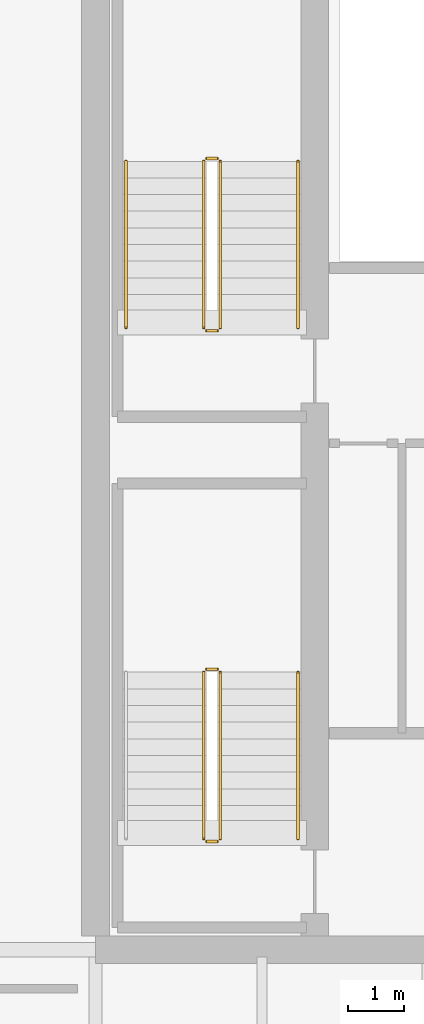
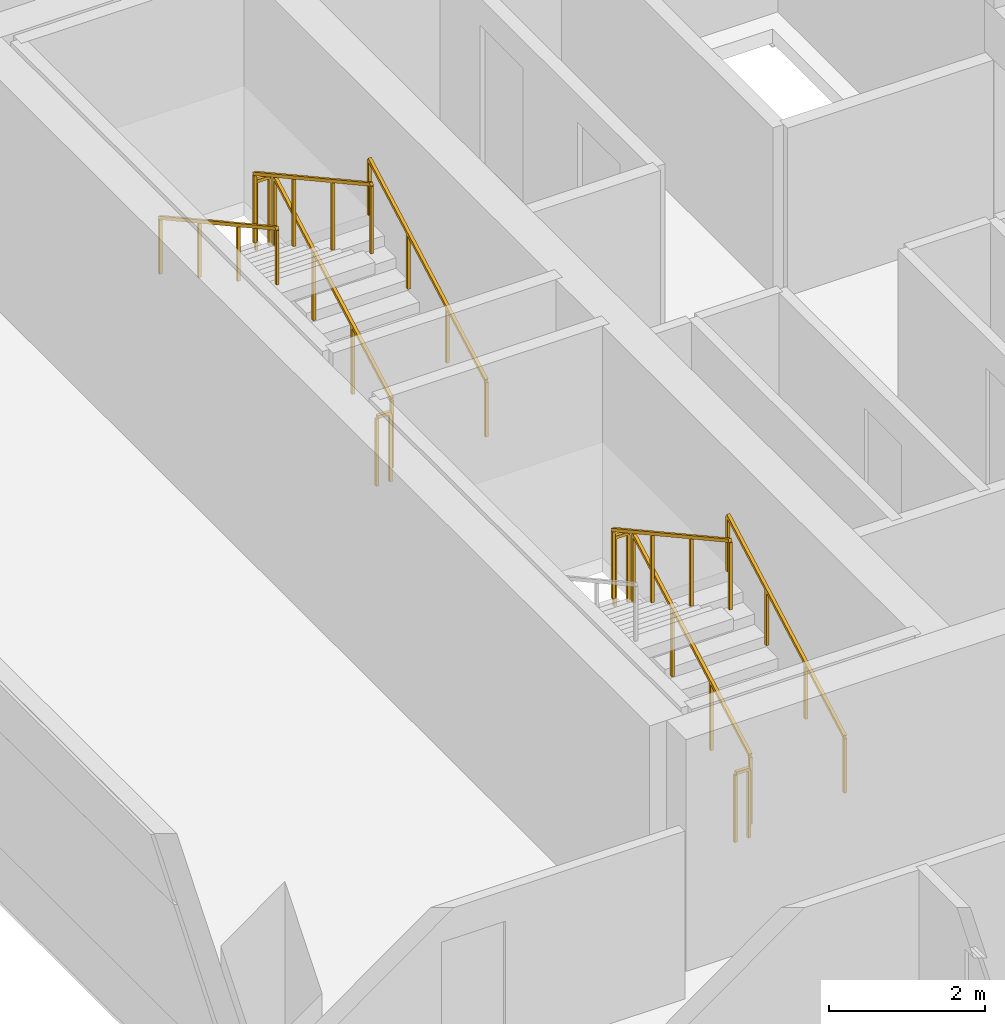
# One storey, part 35 of 39: 11 railings.
"""IFC4 building model written with IfcOpenShell, lengths in metres."""

from ifc_helpers import new_model, si_unit, direction, frame, origin, place, context, subcontext, project, spatial, rectangle, extrude, material, type_object, element, save


model = new_model("IFC4")

# Units and contexts
model_context = context("Model", 3, precision=1e-05, world=origin(), true_north=direction((0.0, 1.0)))
body_context = subcontext(model_context, "Body", "Model", "MODEL_VIEW")
ifc_project = project(units=[si_unit("LENGTHUNIT", "METRE"), si_unit("AREAUNIT", "SQUARE_METRE"), si_unit("VOLUMEUNIT", "CUBIC_METRE"), si_unit("PLANEANGLEUNIT", "RADIAN"), si_unit("MASSUNIT", "GRAM", prefix="KILO")], contexts=[model_context])

# Site, building, storey
site_placement = place(None, origin())
site = spatial("IfcSite", under=ifc_project, at=site_placement, CompositionType="ELEMENT")
building_placement = place(site_placement, origin())
building = spatial("IfcBuilding", under=site, at=building_placement, Name="Tanjung Sevakor Pilgrim Tower", CompositionType="ELEMENT")
storey_placement = place(building_placement, frame((0.0, 0.0, 108.570068359375)))
storey = spatial("IfcBuildingStorey", under=building, at=storey_placement, Name="L30", CompositionType="ELEMENT", Elevation=108.570068359375)

# Railings
ifc_material_1 = material(Name="Steel S355J2", Category="steel")
railing_type_1 = type_object("IfcRailingType", Name="RL-STAIR-GUARD", PredefinedType="GUARDRAIL", material=ifc_material_1)
railing_1_placement = place(storey_placement, frame((26.25, 26.60009765625, 0.1650390625)))
element("IfcRailing", 1, at=railing_1_placement, inside=storey, type_object=railing_type_1, Name="L30 TS-W1 stair guard 1", PredefinedType="GUARDRAIL", context=body_context, shape_type="SweptSolid", body=[
    extrude(rectangle(XDim=0.0479, YDim=0.0479), frame((0.0, 0.0, 1.076171875), z_axis=(0.0, 0.876227952683, 0.48189685093), x_axis=(-1.0, 0.0, 0.0)), (0.0, 0.0, 1.0), 3.423828125),
    extrude(rectangle(XDim=0.042, YDim=0.042), origin(), (0.0, 0.0, 1.0), 1.052001953125),
    extrude(rectangle(XDim=0.042, YDim=0.042), frame((0.0, 1.0, 0.550048828125)), (0.0, 0.0, 1.0), 1.052001953125),
    extrude(rectangle(XDim=0.042, YDim=0.042), frame((0.0, 2.0, 1.099853515625)), (0.0, 0.0, 1.0), 1.052001953125),
    extrude(rectangle(XDim=0.042, YDim=0.042), frame((0.0, 3.0, 1.64990234375)), (0.0, 0.0, 1.0), 1.052001953125),
])
railing_2_placement = place(storey_placement, frame((26.199951171875, 29.64990234375, 1.81494140625)))
element("IfcRailing", 2, at=railing_2_placement, inside=storey, type_object=railing_type_1, Name="L30 TS-W1 stair guard 2", PredefinedType="GUARDRAIL", context=body_context, shape_type="SweptSolid", body=[
    extrude(rectangle(XDim=0.0479, YDim=0.0479), frame((0.0, 0.0, 1.076171875), z_axis=(-1.0, 0.0, 0.0), x_axis=(0.0, -1.0, 0.0)), (0.0, 0.0, 1.0), 0.199951171875),
    extrude(rectangle(XDim=0.042, YDim=0.042), origin(), (0.0, 0.0, 1.0), 1.052001953125),
    extrude(rectangle(XDim=0.042, YDim=0.042), frame((-0.199951171875, 0.0, 0.0)), (0.0, 0.0, 1.0), 1.052001953125),
])
railing_3_placement = place(storey_placement, frame((25.949951171875, 29.60009765625, 1.97998046875)))
element("IfcRailing", 3, at=railing_3_placement, inside=storey, type_object=railing_type_1, Name="L30 TS-W1 stair guard 3", PredefinedType="GUARDRAIL", context=body_context, shape_type="SweptSolid", body=[
    extrude(rectangle(XDim=0.0479, YDim=0.0479), frame((0.0, 0.0, 1.076171875), z_axis=(0.0, -0.876227952683, 0.48189685093), x_axis=(1.0, 0.0, 0.0)), (0.0, 0.0, 1.0), 3.423828125),
    extrude(rectangle(XDim=0.042, YDim=0.042), origin(), (0.0, 0.0, 1.0), 1.052001953125),
    extrude(rectangle(XDim=0.042, YDim=0.042), frame((0.0, -1.0, 0.550048828125)), (0.0, 0.0, 1.0), 1.052001953125),
    extrude(rectangle(XDim=0.042, YDim=0.042), frame((0.0, -2.0, 1.099853515625)), (0.0, 0.0, 1.0), 1.052001953125),
    extrude(rectangle(XDim=0.042, YDim=0.042), frame((0.0, -3.0, 1.64990234375)), (0.0, 0.0, 1.0), 1.052001953125),
])
railing_4_placement = place(storey_placement, frame((26.199951171875, 26.550048828125, 0.0)))
element("IfcRailing", 4, at=railing_4_placement, inside=storey, type_object=railing_type_1, Name="L30 TS-W1 stair guard 4", PredefinedType="GUARDRAIL", context=body_context, shape_type="SweptSolid", body=[
    extrude(rectangle(XDim=0.0479, YDim=0.0479), frame((0.0, 0.0, 1.076171875), z_axis=(-1.0, 0.0, 0.0), x_axis=(0.0, -1.0, 0.0)), (0.0, 0.0, 1.0), 0.199951171875),
    extrude(rectangle(XDim=0.042, YDim=0.042), origin(), (0.0, 0.0, 1.0), 1.052001953125),
    extrude(rectangle(XDim=0.042, YDim=0.042), frame((-0.199951171875, 0.0, 0.0)), (0.0, 0.0, 1.0), 1.052001953125),
])
railing_5_placement = place(storey_placement, frame((26.25, 35.800048828125, 0.1650390625)))
element("IfcRailing", 5, at=railing_5_placement, inside=storey, type_object=railing_type_1, Name="L30 TS-W2 stair guard 1", PredefinedType="GUARDRAIL", context=body_context, shape_type="SweptSolid", body=[
    extrude(rectangle(XDim=0.0479, YDim=0.0479), frame((0.0, 0.0, 1.076171875), z_axis=(0.0, 0.876227952683, 0.48189685093), x_axis=(-1.0, 0.0, 0.0)), (0.0, 0.0, 1.0), 3.423828125),
    extrude(rectangle(XDim=0.042, YDim=0.042), origin(), (0.0, 0.0, 1.0), 1.052001953125),
    extrude(rectangle(XDim=0.042, YDim=0.042), frame((0.0, 1.0, 0.550048828125)), (0.0, 0.0, 1.0), 1.052001953125),
    extrude(rectangle(XDim=0.042, YDim=0.042), frame((0.0, 2.0, 1.099853515625)), (0.0, 0.0, 1.0), 1.052001953125),
    extrude(rectangle(XDim=0.042, YDim=0.042), frame((0.0, 3.0, 1.64990234375)), (0.0, 0.0, 1.0), 1.052001953125),
])
railing_6_placement = place(storey_placement, frame((26.199951171875, 38.85009765625, 1.81494140625)))
element("IfcRailing", 6, at=railing_6_placement, inside=storey, type_object=railing_type_1, Name="L30 TS-W2 stair guard 2", PredefinedType="GUARDRAIL", context=body_context, shape_type="SweptSolid", body=[
    extrude(rectangle(XDim=0.0479, YDim=0.0479), frame((0.0, 0.0, 1.076171875), z_axis=(-1.0, 0.0, 0.0), x_axis=(0.0, -1.0, 0.0)), (0.0, 0.0, 1.0), 0.199951171875),
    extrude(rectangle(XDim=0.042, YDim=0.042), origin(), (0.0, 0.0, 1.0), 1.052001953125),
    extrude(rectangle(XDim=0.042, YDim=0.042), frame((-0.199951171875, 0.0, 0.0)), (0.0, 0.0, 1.0), 1.052001953125),
])
railing_7_placement = place(storey_placement, frame((25.949951171875, 38.800048828125, 1.97998046875)))
element("IfcRailing", 7, at=railing_7_placement, inside=storey, type_object=railing_type_1, Name="L30 TS-W2 stair guard 3", PredefinedType="GUARDRAIL", context=body_context, shape_type="SweptSolid", body=[
    extrude(rectangle(XDim=0.0479, YDim=0.0479), frame((0.0, 0.0, 1.076171875), z_axis=(0.0, -0.876227952683, 0.48189685093), x_axis=(1.0, 0.0, 0.0)), (0.0, 0.0, 1.0), 3.423828125),
    extrude(rectangle(XDim=0.042, YDim=0.042), origin(), (0.0, 0.0, 1.0), 1.052001953125),
    extrude(rectangle(XDim=0.042, YDim=0.042), frame((0.0, -1.0, 0.550048828125)), (0.0, 0.0, 1.0), 1.052001953125),
    extrude(rectangle(XDim=0.042, YDim=0.042), frame((0.0, -2.0, 1.099853515625)), (0.0, 0.0, 1.0), 1.052001953125),
    extrude(rectangle(XDim=0.042, YDim=0.042), frame((0.0, -3.0, 1.64990234375)), (0.0, 0.0, 1.0), 1.052001953125),
])
railing_8_placement = place(storey_placement, frame((26.199951171875, 35.75, 0.0)))
element("IfcRailing", 8, at=railing_8_placement, inside=storey, type_object=railing_type_1, Name="L30 TS-W2 stair guard 4", PredefinedType="GUARDRAIL", context=body_context, shape_type="SweptSolid", body=[
    extrude(rectangle(XDim=0.0479, YDim=0.0479), frame((0.0, 0.0, 1.076171875), z_axis=(-1.0, 0.0, 0.0), x_axis=(0.0, -1.0, 0.0)), (0.0, 0.0, 1.0), 0.199951171875),
    extrude(rectangle(XDim=0.042, YDim=0.042), origin(), (0.0, 0.0, 1.0), 1.052001953125),
    extrude(rectangle(XDim=0.042, YDim=0.042), frame((-0.199951171875, 0.0, 0.0)), (0.0, 0.0, 1.0), 1.052001953125),
])
ifc_material_2 = material(Name="Steel S355J2", Category="steel")
railing_type_2 = type_object("IfcRailingType", Name="RL-STAIR-HAND", PredefinedType="HANDRAIL", material=ifc_material_2)
for number, where, name in (
    (9, (27.64990234375, 26.60009765625, 0.1650390625), "L30 TS-W1 stair handrail 1"),
    (10, (27.64990234375, 35.800048828125, 0.1650390625), "L30 TS-W2 stair handrail 1"),
):
    element("IfcRailing", number, at=place(storey_placement, frame(where)), inside=storey, type_object=railing_type_2, Name=name, PredefinedType="HANDRAIL", context=body_context, shape_type="SweptSolid", body=[
        extrude(rectangle(XDim=0.0479, YDim=0.0479), frame((0.0, 0.0, 0.8759765625), z_axis=(0.0, 0.876227952683, 0.48189685093), x_axis=(-1.0, 0.0, 0.0)), (0.0, 0.0, 1.0), 3.423828125),
        extrude(rectangle(XDim=0.042, YDim=0.042), origin(), (0.0, 0.0, 1.0), 0.851806640625),
        extrude(rectangle(XDim=0.042, YDim=0.042), frame((0.0, 1.0, 0.550048828125)), (0.0, 0.0, 1.0), 0.851806640625),
        extrude(rectangle(XDim=0.042, YDim=0.042), frame((0.0, 2.0, 1.099853515625)), (0.0, 0.0, 1.0), 0.851806640625),
        extrude(rectangle(XDim=0.042, YDim=0.042), frame((0.0, 3.0, 1.64990234375)), (0.0, 0.0, 1.0), 0.851806640625),
    ])
railing_9_placement = place(storey_placement, frame((24.550048828125, 38.800048828125, 1.97998046875)))
element("IfcRailing", 11, at=railing_9_placement, inside=storey, type_object=railing_type_2, Name="L30 TS-W2 stair handrail 2", PredefinedType="HANDRAIL", context=body_context, shape_type="SweptSolid", body=[
    extrude(rectangle(XDim=0.0479, YDim=0.0479), frame((0.0, 0.0, 0.8759765625), z_axis=(0.0, -0.876227952683, 0.48189685093), x_axis=(1.0, 0.0, 0.0)), (0.0, 0.0, 1.0), 3.423828125),
    extrude(rectangle(XDim=0.042, YDim=0.042), origin(), (0.0, 0.0, 1.0), 0.851806640625),
    extrude(rectangle(XDim=0.042, YDim=0.042), frame((0.0, -1.0, 0.550048828125)), (0.0, 0.0, 1.0), 0.851806640625),
    extrude(rectangle(XDim=0.042, YDim=0.042), frame((0.0, -2.0, 1.099853515625)), (0.0, 0.0, 1.0), 0.851806640625),
    extrude(rectangle(XDim=0.042, YDim=0.042), frame((0.0, -3.0, 1.64990234375)), (0.0, 0.0, 1.0), 0.851806640625),
])

save(model, "model.ifc")
